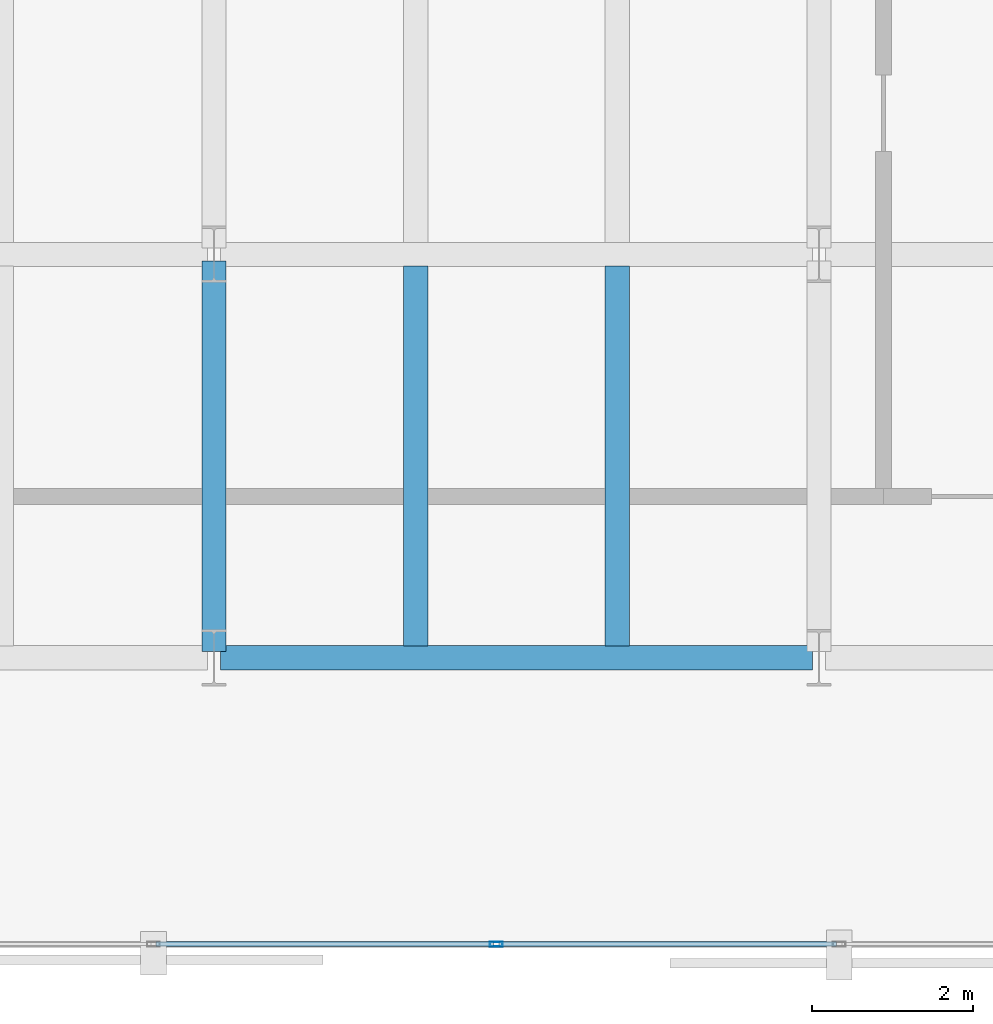
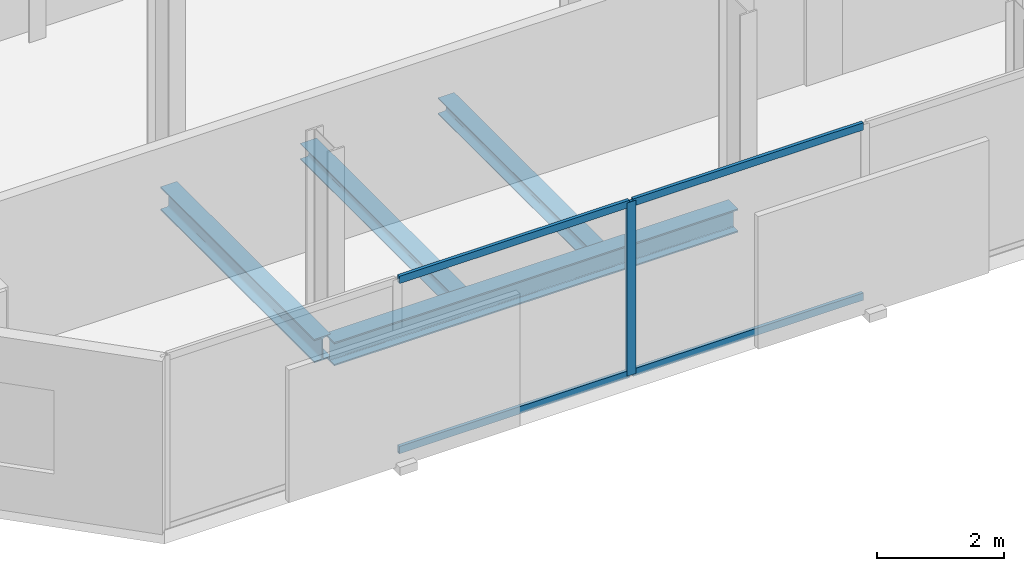
# One storey, part 4 of 32: 5 members, 4 beams, 1 element without a shape of its own.
"""IFC4 building model written with IfcOpenShell, lengths in metres."""

from ifc_helpers import new_model, si_unit, direction, frame, origin, origin_2d, place, context, subcontext, project, spatial, hollow_rectangle, i_section, extrude, material, layer, layer_set, material_profile, profile_set, type_object, element, aggregate, save


model = new_model("IFC4")

# Units and contexts
model_context = context("Model", 3, precision=1e-05, world=origin(), true_north=direction((0.0, 1.0)))
body_context = subcontext(model_context, "Body", "Model", "MODEL_VIEW")
ifc_project = project(units=[si_unit("LENGTHUNIT", "METRE"), si_unit("AREAUNIT", "SQUARE_METRE"), si_unit("VOLUMEUNIT", "CUBIC_METRE"), si_unit("PLANEANGLEUNIT", "RADIAN"), si_unit("MASSUNIT", "GRAM", prefix="KILO")], contexts=[model_context])

# Site, building, storey
site_placement = place(None, origin())
site = spatial("IfcSite", under=ifc_project, at=site_placement, CompositionType="ELEMENT")
building_placement = place(site_placement, origin())
building = spatial("IfcBuilding", under=site, at=building_placement, Name="Catumbela Crestline Tower", CompositionType="ELEMENT")
storey_placement = place(building_placement, frame((0.0, 0.0, 133.2)))
storey = spatial("IfcBuildingStorey", under=building, at=storey_placement, Name="L34", CompositionType="ELEMENT", Elevation=133.2)

# Beams
ifc_material_1 = material(Name="Structural steel S355J2", Category="steel")
ifc_material_profile_1 = material_profile(ifc_material_1, i_section(OverallWidth=0.3, OverallDepth=0.45, WebThickness=0.014, FlangeThickness=0.026, FilletRadius=0.027, at=origin_2d()), Name="HEB 450")
ifc_profile_set_1 = profile_set([ifc_material_profile_1], Name="Structural steel S355J2")
beam_type_1 = type_object("IfcBeamType", Name="BG-HEB450", PredefinedType="BEAM", material=ifc_profile_set_1)
beam_1_placement = place(storey_placement, frame((8.58, 8.6, -0.485), z_axis=(1.0, 0.0, 0.0), x_axis=(0.0, 1.0, 0.0)))
element("IfcBeam", 1, at=beam_1_placement, inside=storey, type_object=beam_type_1, Name="L34 Beam BM-L34-WEW44", PredefinedType="BEAM", context=body_context, shape_type="SweptSolid", body=[
    extrude(i_section(OverallWidth=0.3, OverallDepth=0.45, WebThickness=0.014, FlangeThickness=0.026, FilletRadius=0.027, at=origin_2d()), origin(), (0.0, 0.0, 1.0), 7.34),
])
beam_2_placement = place(storey_placement, frame((8.5, 8.68, -0.485), z_axis=(0.0, 1.0, 0.0), x_axis=(-1.0, 0.0, 0.0)))
element("IfcBeam", 2, at=beam_2_placement, inside=storey, type_object=beam_type_1, Name="L34 Beam BM-L34-WNS55", PredefinedType="BEAM", context=body_context, shape_type="SweptSolid", body=[
    extrude(i_section(OverallWidth=0.3, OverallDepth=0.45, WebThickness=0.014, FlangeThickness=0.026, FilletRadius=0.027, at=origin_2d()), origin(), (0.0, 0.0, 1.0), 4.84),
])
ifc_material_profile_2 = material_profile(ifc_material_1, i_section(OverallWidth=0.3, OverallDepth=0.31, WebThickness=0.009, FlangeThickness=0.0155, FilletRadius=0.027, at=origin_2d()), Name="HEA 320")
ifc_profile_set_2 = profile_set([ifc_material_profile_2], Name="Structural steel S355J2")
beam_type_2 = type_object("IfcBeamType", Name="BJ-HEA320", PredefinedType="JOIST", material=ifc_profile_set_2)
for number, where, z_axis, x_axis, name in (
    (3, (11.0, 8.747, -0.415), (0.0, 1.0, 0.0), (-1.0, 0.0, 0.0), "L34 Joist JS-L34-WG65"),
    (4, (13.5, 8.747, -0.415), (0.0, 1.0, 0.0), (-1.0, 0.0, 0.0), "L34 Joist JS-L34-WG66"),
):
    element("IfcBeam", number, at=place(storey_placement, frame(where, z_axis=z_axis, x_axis=x_axis)), inside=storey, type_object=beam_type_2, Name=name, PredefinedType="JOIST", context=body_context, shape_type="SweptSolid", body=[
        extrude(i_section(OverallWidth=0.3, OverallDepth=0.31, WebThickness=0.009, FlangeThickness=0.0155, FilletRadius=0.027, at=origin_2d()), origin(), (0.0, 0.0, 1.0), 4.706),
    ])

# Curtain wall, members
ifc_material_2 = material(Name="Aluminium alloy AW-6060-T66", Category="aluminium")
ifc_layer = layer(ifc_material_2, 0.18, Name="Aluminium alloy AW-6060-T66")
ifc_layer_set = layer_set([ifc_layer], Name="Aluminium alloy AW-6060-T66")
curtain_wall_type = type_object("IfcCurtainWallType", Name="CWU-Z2", PredefinedType="USERDEFINED", material=ifc_layer_set)
curtain_wall_placement = place(storey_placement, origin())
curtain_wall = element("IfcCurtainWall", 5, at=curtain_wall_placement, inside=storey, type_object=curtain_wall_type, Name="L34 Unitised Curtain Wall CW-L34-E0S1", ObjectType="UNITISED", PredefinedType="USERDEFINED")
ifc_material_profile_3 = material_profile(ifc_material_2, hollow_rectangle(XDim=0.06, YDim=0.16, WallThickness=0.004, at=origin_2d()), Name="ALU 160x60x4")
ifc_profile_set_3 = profile_set([ifc_material_profile_3], Name="Aluminium alloy AW-6060-T66")
member_type_1 = type_object("IfcMemberType", Name="MUL-160X60", PredefinedType="MULLION", material=ifc_profile_set_3)
member_1_placement = place(storey_placement, frame((12.0, 5.05, 0.0), z_axis=(0.0, 0.0, 1.0), x_axis=(0.0, 1.0, 0.0)))
member_1 = element("IfcMember", 6, at=member_1_placement, type_object=member_type_1, Name="CWU-Z2 mullion 3", PredefinedType="MULLION", context=body_context, shape_type="SweptSolid", body=[
    extrude(hollow_rectangle(XDim=0.06, YDim=0.16, WallThickness=0.004, at=origin_2d()), origin(), (0.0, 0.0, 1.0), 3.33),
])
ifc_material_profile_4 = material_profile(ifc_material_2, hollow_rectangle(XDim=0.06, YDim=0.14, WallThickness=0.004, at=origin_2d()), Name="ALU 140x60x4")
ifc_profile_set_4 = profile_set([ifc_material_profile_4], Name="Aluminium alloy AW-6060-T66")
member_type_2 = type_object("IfcMemberType", Name="TRN-140X60", PredefinedType="USERDEFINED", material=ifc_profile_set_4)
member_2_placement = place(storey_placement, frame((7.7825, 5.05, 0.03), z_axis=(1.0, 0.0, 0.0), x_axis=(0.0, 1.0, 0.0)))
member_2 = element("IfcMember", 7, at=member_2_placement, type_object=member_type_2, Name="CWU-Z2 transom 2.1", ObjectType="TRANSOM", PredefinedType="USERDEFINED", context=body_context, shape_type="SweptSolid", body=[
    extrude(hollow_rectangle(XDim=0.06, YDim=0.14, WallThickness=0.004, at=origin_2d()), origin(), (0.0, 0.0, 1.0), 4.185),
])
member_3_placement = place(storey_placement, frame((7.7825, 5.05, 3.3), z_axis=(1.0, 0.0, 0.0), x_axis=(0.0, 1.0, 0.0)))
member_3 = element("IfcMember", 8, at=member_3_placement, type_object=member_type_2, Name="CWU-Z2 transom 2.2", ObjectType="TRANSOM", PredefinedType="USERDEFINED", context=body_context, shape_type="SweptSolid", body=[
    extrude(hollow_rectangle(XDim=0.06, YDim=0.14, WallThickness=0.004, at=origin_2d()), origin(), (0.0, 0.0, 1.0), 4.185),
])
member_4_placement = place(storey_placement, frame((12.0325, 5.05, 0.03), z_axis=(1.0, 0.0, 0.0), x_axis=(0.0, 1.0, 0.0)))
member_4 = element("IfcMember", 9, at=member_4_placement, type_object=member_type_2, Name="CWU-Z2 transom 3.1", ObjectType="TRANSOM", PredefinedType="USERDEFINED", context=body_context, shape_type="SweptSolid", body=[
    extrude(hollow_rectangle(XDim=0.06, YDim=0.14, WallThickness=0.004, at=origin_2d()), origin(), (0.0, 0.0, 1.0), 4.185),
])
member_5_placement = place(storey_placement, frame((12.0325, 5.05, 3.3), z_axis=(1.0, 0.0, 0.0), x_axis=(0.0, 1.0, 0.0)))
member_5 = element("IfcMember", 10, at=member_5_placement, type_object=member_type_2, Name="CWU-Z2 transom 3.2", ObjectType="TRANSOM", PredefinedType="USERDEFINED", context=body_context, shape_type="SweptSolid", body=[
    extrude(hollow_rectangle(XDim=0.06, YDim=0.14, WallThickness=0.004, at=origin_2d()), origin(), (0.0, 0.0, 1.0), 4.185),
])
aggregate(curtain_wall, [member_1, member_2, member_3, member_4, member_5])

save(model, "model.ifc")
